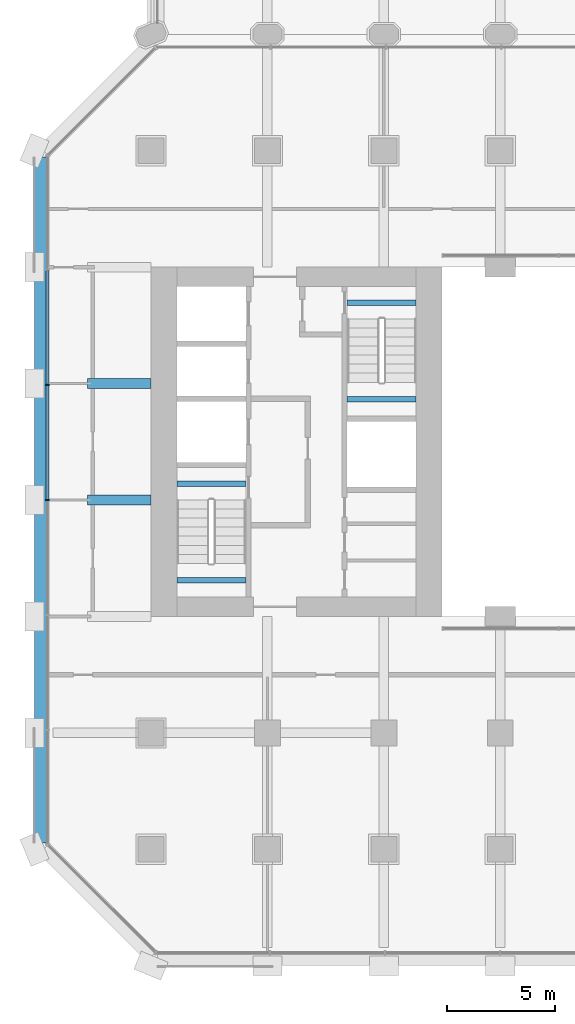
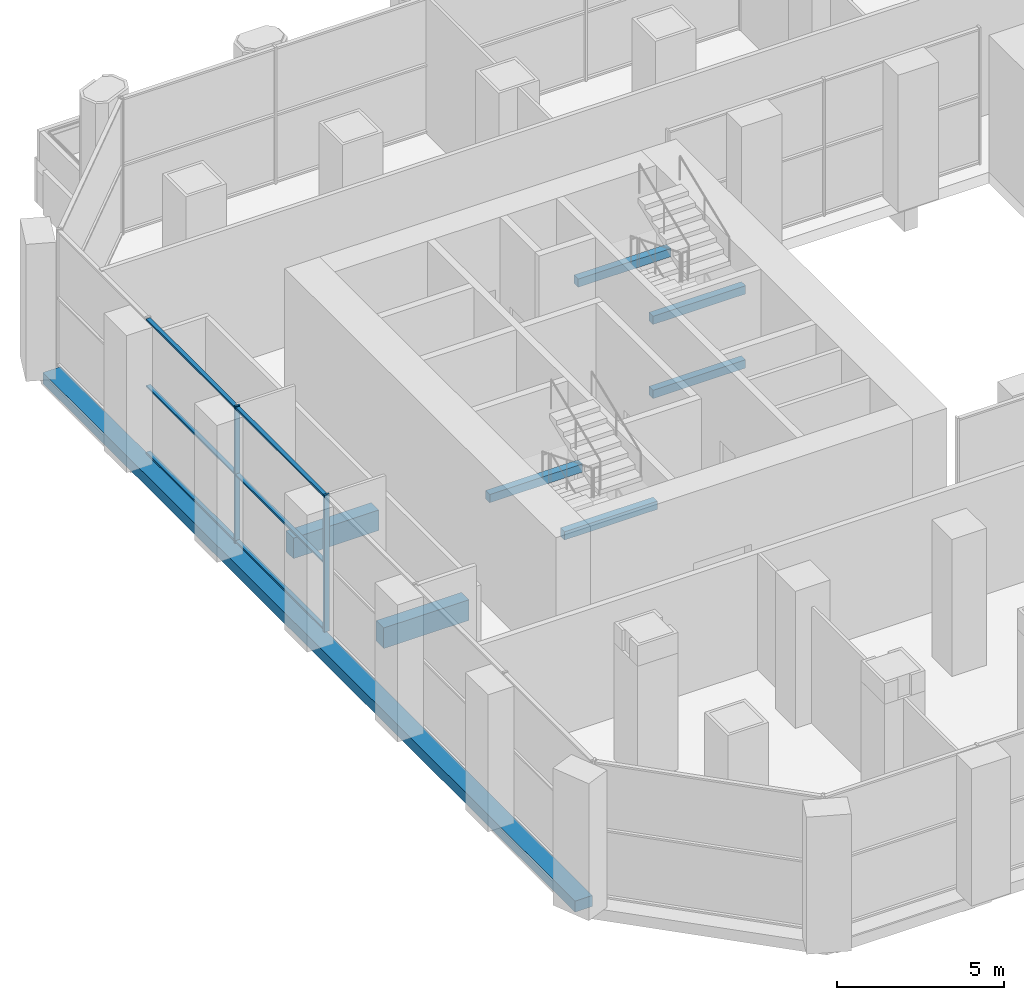
# One storey, part 5 of 27: 8 beams, 8 members, 1 element without a shape of its own.
"""IFC4 building model written with IfcOpenShell, lengths in metres."""

from ifc_helpers import new_model, si_unit, direction, frame, origin, origin_2d, place, context, subcontext, project, spatial, rectangle, extrude, material, material_profile, profile_set, type_object, element, aggregate, save


model = new_model("IFC4")

# Units and contexts
model_context = context("Model", 3, precision=1e-05, world=origin(), true_north=direction((0.0, 1.0)))
body_context = subcontext(model_context, "Body", "Model", "MODEL_VIEW")
ifc_project = project(units=[si_unit("LENGTHUNIT", "METRE"), si_unit("AREAUNIT", "SQUARE_METRE"), si_unit("VOLUMEUNIT", "CUBIC_METRE"), si_unit("PLANEANGLEUNIT", "RADIAN"), si_unit("MASSUNIT", "GRAM", prefix="KILO")], contexts=[model_context])

# Site, building, storey
site_placement = place(None, origin())
site = spatial("IfcSite", under=ifc_project, at=site_placement, CompositionType="ELEMENT")
building_placement = place(site_placement, origin())
building = spatial("IfcBuilding", under=site, at=building_placement, Name="Tabaq Tower and Sports Hall", CompositionType="ELEMENT")
storey_placement = place(building_placement, frame((0.0, 0.0, 14.39990234375)))
storey = spatial("IfcBuildingStorey", under=building, at=storey_placement, Name="L02", CompositionType="ELEMENT", Elevation=14.39990234375)

# Curtain wall, members
ifc_material_1 = material(Name="Aluminium alloy 6063-T6 framed glazing", Category="aluminium")
curtain_wall_type = type_object("IfcCurtainWallType", Name="CW7 curtain wall", PredefinedType="USERDEFINED", material=ifc_material_1)
curtain_wall_placement = place(storey_placement, origin())
curtain_wall = element("IfcCurtainWall", 1, at=curtain_wall_placement, inside=storey, type_object=curtain_wall_type, Name="Podium Wall L02 W", ObjectType="PODIUM WALL", PredefinedType="USERDEFINED")
ifc_material_2 = material(Name="Aluminium alloy 6063-T6", Category="aluminium")
ifc_material_profile_1 = material_profile(ifc_material_2, rectangle(XDim=0.179931640625, YDim=0.06494140625, at=origin_2d()), Name="MULLION 180x65")
ifc_profile_set_1 = profile_set([ifc_material_profile_1], Name="Aluminium alloy 6063-T6")
member_type_1 = type_object("IfcMemberType", Name="CW7 mullion 180x65", PredefinedType="MULLION", material=ifc_profile_set_1)
member_1_placement = place(storey_placement, frame((0.60009765625, 26.93798828125, 0.0), z_axis=(0.0, 0.0, 1.0), x_axis=(1.0, 0.0, 0.0)))
member_1 = element("IfcMember", 2, at=member_1_placement, type_object=member_type_1, Name="CW7 mullion 3", PredefinedType="MULLION", context=body_context, shape_type="SweptSolid", body=[
    extrude(rectangle(XDim=0.179931640625, YDim=0.06494140625, at=origin_2d()), origin(), (0.0, 0.0, 1.0), 5.0),
])
member_2_placement = place(storey_placement, frame((0.60009765625, 21.60009765625, 0.0), z_axis=(0.0, 0.0, 1.0), x_axis=(1.0, 0.0, 0.0)))
member_2 = element("IfcMember", 3, at=member_2_placement, type_object=member_type_1, Name="CW7 mullion 4", PredefinedType="MULLION", context=body_context, shape_type="SweptSolid", body=[
    extrude(rectangle(XDim=0.179931640625, YDim=0.06494140625, at=origin_2d()), origin(), (0.0, 0.0, 1.0), 5.0),
])
ifc_material_3 = material(Name="Aluminium alloy 6063-T6", Category="aluminium")
ifc_material_profile_2 = material_profile(ifc_material_3, rectangle(XDim=0.139892578125, YDim=0.06494140625, at=origin_2d()), Name="TRANSOM 140x65")
ifc_profile_set_2 = profile_set([ifc_material_profile_2], Name="Aluminium alloy 6063-T6")
member_type_2 = type_object("IfcMemberType", Name="CW7 transom 140x65", PredefinedType="USERDEFINED", material=ifc_profile_set_2)
member_3_placement = place(storey_placement, frame((0.60009765625, 32.2431640625, 0.070068359375), z_axis=(0.0, -1.0, 0.0), x_axis=(1.0, 0.0, 0.0)))
member_3 = element("IfcMember", 4, at=member_3_placement, type_object=member_type_2, Name="CW7 transom 2.1", ObjectType="TRANSOM", PredefinedType="USERDEFINED", context=body_context, shape_type="SweptSolid", body=[
    extrude(rectangle(XDim=0.139892578125, YDim=0.06494140625, at=origin_2d()), origin(), (0.0, 0.0, 1.0), 5.272705078125),
])
member_4_placement = place(storey_placement, frame((0.60009765625, 32.2431640625, 2.5), z_axis=(0.0, -1.0, 0.0), x_axis=(1.0, 0.0, 0.0)))
member_4 = element("IfcMember", 5, at=member_4_placement, type_object=member_type_2, Name="CW7 transom 2.2", ObjectType="TRANSOM", PredefinedType="USERDEFINED", context=body_context, shape_type="SweptSolid", body=[
    extrude(rectangle(XDim=0.139892578125, YDim=0.06494140625, at=origin_2d()), origin(), (0.0, 0.0, 1.0), 5.272705078125),
])
member_5_placement = place(storey_placement, frame((0.60009765625, 32.2431640625, 4.93017578125), z_axis=(0.0, -1.0, 0.0), x_axis=(1.0, 0.0, 0.0)))
member_5 = element("IfcMember", 6, at=member_5_placement, type_object=member_type_2, Name="CW7 transom 2.3", ObjectType="TRANSOM", PredefinedType="USERDEFINED", context=body_context, shape_type="SweptSolid", body=[
    extrude(rectangle(XDim=0.139892578125, YDim=0.06494140625, at=origin_2d()), origin(), (0.0, 0.0, 1.0), 5.272705078125),
])
member_6_placement = place(storey_placement, frame((0.60009765625, 26.9052734375, 0.070068359375), z_axis=(0.0, -1.0, 0.0), x_axis=(1.0, 0.0, 0.0)))
member_6 = element("IfcMember", 7, at=member_6_placement, type_object=member_type_2, Name="CW7 transom 3.1", ObjectType="TRANSOM", PredefinedType="USERDEFINED", context=body_context, shape_type="SweptSolid", body=[
    extrude(rectangle(XDim=0.139892578125, YDim=0.06494140625, at=origin_2d()), origin(), (0.0, 0.0, 1.0), 5.272705078125),
])
member_7_placement = place(storey_placement, frame((0.60009765625, 26.9052734375, 2.5), z_axis=(0.0, -1.0, 0.0), x_axis=(1.0, 0.0, 0.0)))
member_7 = element("IfcMember", 8, at=member_7_placement, type_object=member_type_2, Name="CW7 transom 3.2", ObjectType="TRANSOM", PredefinedType="USERDEFINED", context=body_context, shape_type="SweptSolid", body=[
    extrude(rectangle(XDim=0.139892578125, YDim=0.06494140625, at=origin_2d()), origin(), (0.0, 0.0, 1.0), 5.272705078125),
])
member_8_placement = place(storey_placement, frame((0.60009765625, 26.9052734375, 4.93017578125), z_axis=(0.0, -1.0, 0.0), x_axis=(1.0, 0.0, 0.0)))
member_8 = element("IfcMember", 9, at=member_8_placement, type_object=member_type_2, Name="CW7 transom 3.3", ObjectType="TRANSOM", PredefinedType="USERDEFINED", context=body_context, shape_type="SweptSolid", body=[
    extrude(rectangle(XDim=0.139892578125, YDim=0.06494140625, at=origin_2d()), origin(), (0.0, 0.0, 1.0), 5.272705078125),
])
aggregate(curtain_wall, [member_1, member_2, member_3, member_4, member_5, member_6, member_7, member_8])

# Beams
ifc_material_4 = material(Name="Concrete C40/50", Category="concrete")
ifc_material_profile_3 = material_profile(ifc_material_4, rectangle(XDim=0.449951171875, YDim=0.75, at=origin_2d()), Name="CB 450x750")
ifc_profile_set_3 = profile_set([ifc_material_profile_3], Name="Concrete C40/50")
beam_type_1 = type_object("IfcBeamType", Name="PT CANTILEVER BEAM CB 450x750 C40/50", PredefinedType="BEAM", material=ifc_profile_set_3)
for number, where, z_axis, x_axis, name in (
    (10, (2.449951171875, 21.60009765625, -0.77490234375), (1.0, 0.0, 0.0), (0.0, 1.0, 0.0), "Cantilever Beam L02 W4 span 1"),
    (11, (2.449951171875, 27.0, -0.77490234375), (1.0, 0.0, 0.0), (0.0, 1.0, 0.0), "Cantilever Beam L02 W5 span 1"),
):
    element("IfcBeam", number, at=place(storey_placement, frame(where, z_axis=z_axis, x_axis=x_axis)), inside=storey, type_object=beam_type_1, Name=name, PredefinedType="BEAM", context=body_context, shape_type="SweptSolid", body=[
        extrude(rectangle(XDim=0.449951171875, YDim=0.75, at=origin_2d()), origin(), (0.0, 0.0, 1.0), 2.949951171875),
    ])
ifc_material_5 = material(Name="Concrete C40/50", Category="concrete")
ifc_material_profile_4 = material_profile(ifc_material_5, rectangle(XDim=0.60009765625, YDim=0.39990234375, at=origin_2d()), Name="EB 600x400")
ifc_profile_set_4 = profile_set([ifc_material_profile_4], Name="Concrete C40/50")
beam_type_2 = type_object("IfcBeamType", Name="PT EDGE BEAM EB 600x400 C40/50", PredefinedType="SPANDREL", material=ifc_profile_set_4)
beam_placement = place(storey_placement, frame((0.300048828125, 37.50146484375, -0.199951171875), z_axis=(0.0, -1.0, 0.0), x_axis=(1.0, 0.0, 0.0)))
element("IfcBeam", 12, at=beam_placement, inside=storey, type_object=beam_type_2, Name="Edge Beam L02 4", PredefinedType="SPANDREL", context=body_context, shape_type="SweptSolid", body=[
    extrude(rectangle(XDim=0.60009765625, YDim=0.39990234375, at=origin_2d()), origin(), (0.0, 0.0, 1.0), 31.802978515625),
])
ifc_material_6 = material(Name="Concrete C40/50", Category="concrete")
ifc_material_profile_5 = material_profile(ifc_material_6, rectangle(XDim=0.25, YDim=0.300048828125, at=origin_2d()), Name="RC 250x300")
ifc_profile_set_5 = profile_set([ifc_material_profile_5], Name="Concrete C40/50")
beam_type_3 = type_object("IfcBeamType", Name="Stair landing beam 250x300", PredefinedType="BEAM", material=ifc_profile_set_5)
for number, where, z_axis, x_axis, name in (
    (13, (6.60009765625, 22.35009765625, 2.35009765625), (1.0, 0.0, 0.0), (0.0, 1.0, 0.0), "L02 ST1 landing beam 2"),
    (14, (6.60009765625, 17.8798828125, 3.7001953125), (1.0, 0.0, 0.0), (0.0, 1.0, 0.0), "L02 ST1 landing beam 3"),
    (15, (14.5, 26.280029296875, 1.0), (1.0, 0.0, 0.0), (0.0, 1.0, 0.0), "L02 ST2 landing beam 1"),
    (16, (14.5, 30.75, 2.35009765625), (1.0, 0.0, 0.0), (0.0, 1.0, 0.0), "L02 ST2 landing beam 2"),
    (17, (14.5, 26.280029296875, 3.7001953125), (1.0, 0.0, 0.0), (0.0, 1.0, 0.0), "L02 ST2 landing beam 3"),
):
    element("IfcBeam", number, at=place(storey_placement, frame(where, z_axis=z_axis, x_axis=x_axis)), inside=storey, type_object=beam_type_3, Name=name, PredefinedType="BEAM", context=body_context, shape_type="SweptSolid", body=[
        extrude(rectangle(XDim=0.25, YDim=0.300048828125, at=origin_2d()), origin(), (0.0, 0.0, 1.0), 3.199951171875),
    ])

save(model, "model.ifc")
